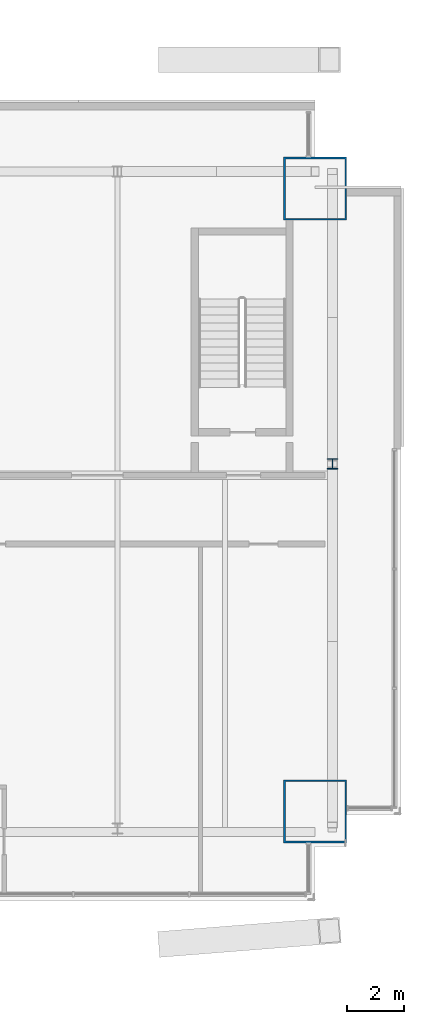
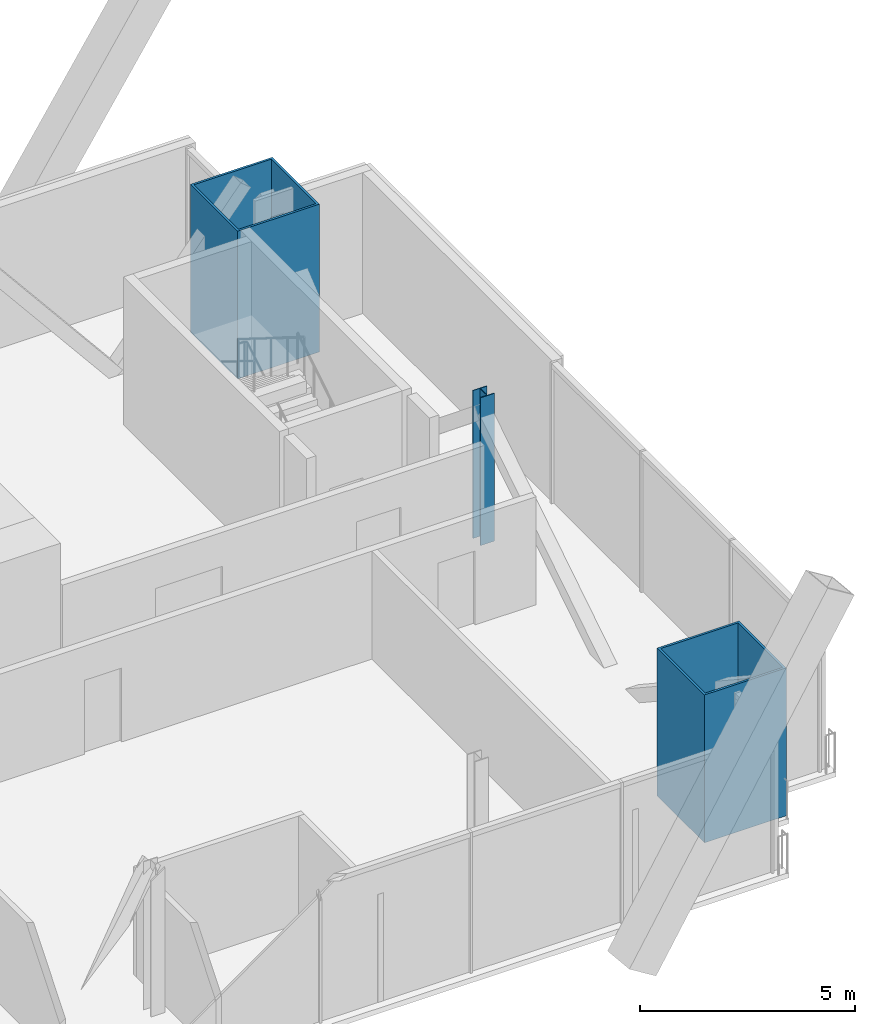
# One storey, part 4 of 19: 3 columns.
"""IFC4 building model written with IfcOpenShell, lengths in metres."""

from ifc_helpers import new_model, si_unit, direction, frame, origin, origin_2d, place, context, subcontext, project, spatial, hollow_rectangle, i_section, extrude, material, material_profile, profile_set, type_object, element, save


model = new_model("IFC4")

# Units and contexts
model_context = context("Model", 3, precision=1e-05, world=origin(), true_north=direction((0.0, 1.0)))
body_context = subcontext(model_context, "Body", "Model", "MODEL_VIEW")
ifc_project = project(units=[si_unit("LENGTHUNIT", "METRE"), si_unit("AREAUNIT", "SQUARE_METRE"), si_unit("VOLUMEUNIT", "CUBIC_METRE"), si_unit("PLANEANGLEUNIT", "RADIAN"), si_unit("MASSUNIT", "GRAM", prefix="KILO")], contexts=[model_context])

# Site, building, storey
site_placement = place(None, origin())
site = spatial("IfcSite", under=ifc_project, at=site_placement, CompositionType="ELEMENT")
building_placement = place(site_placement, origin())
building = spatial("IfcBuilding", under=site, at=building_placement, Name="Bicima Exchange Tower", CompositionType="ELEMENT")
storey_placement = place(building_placement, frame((0.0, 0.0, 283.39990234375)))
storey = spatial("IfcBuildingStorey", under=building, at=storey_placement, Name="L64", CompositionType="ELEMENT", Elevation=283.39990234375)

# Columns
ifc_material_1 = material(Name="Steel ASTM A572 Gr 50", Category="steel")
ifc_material_profile_1 = material_profile(ifc_material_1, hollow_rectangle(XDim=2.199951171875, YDim=2.199951171875, WallThickness=0.06005859375, at=origin_2d()))
ifc_profile_set_1 = profile_set([ifc_material_profile_1], Name="Steel ASTM A572 Gr 50")
column_type_1 = type_object("IfcColumnType", Name="Mega column BOX 2200x2200x60", PredefinedType="COLUMN", material=ifc_profile_set_1)
for number, where, z_axis, x_axis, name in (
    (1, (33.0, -24.72607421875, 0.0), (0.0, 0.0, 1.0), (1.0, 0.0, 0.0), "Mega column mega+33.0f"),
    (2, (33.0, -3.0, 0.0), (0.0, 0.0, 1.0), (1.0, 0.0, 0.0), "Mega column mega+33.0r"),
):
    element("IfcColumn", number, at=place(storey_placement, frame(where, z_axis=z_axis, x_axis=x_axis)), inside=storey, type_object=column_type_1, Name=name, PredefinedType="COLUMN", context=body_context, shape_type="SweptSolid", body=[
        extrude(hollow_rectangle(XDim=2.199951171875, YDim=2.199951171875, WallThickness=0.06005859375, at=origin_2d()), origin(), (0.0, 0.0, 1.0), 4.2001953125),
    ])
ifc_material_2 = material(Name="Steel ASTM A992 Gr 50", Category="steel")
ifc_material_profile_2 = material_profile(ifc_material_2, i_section(OverallWidth=0.370849609375, OverallDepth=0.36328125, WebThickness=0.013427734375, FlangeThickness=0.021728515625, at=origin_2d()))
ifc_profile_set_2 = profile_set([ifc_material_profile_2], Name="Steel ASTM A992 Gr 50")
column_type_2 = type_object("IfcColumnType", Name="Perimeter column W14x109", PredefinedType="COLUMN", material=ifc_profile_set_2)
column_placement = place(storey_placement, frame((33.60009765625, -12.60009765625, 0.0), z_axis=(0.0, 0.0, 1.0), x_axis=(1.0, 0.0, 0.0)))
element("IfcColumn", 3, at=column_placement, inside=storey, type_object=column_type_2, Name="End column end+33.6e", PredefinedType="COLUMN", context=body_context, shape_type="SweptSolid", body=[
    extrude(i_section(OverallWidth=0.370849609375, OverallDepth=0.36328125, WebThickness=0.013427734375, FlangeThickness=0.021728515625, at=origin_2d()), origin(), (0.0, 0.0, 1.0), 4.2001953125),
])

save(model, "model.ifc")
